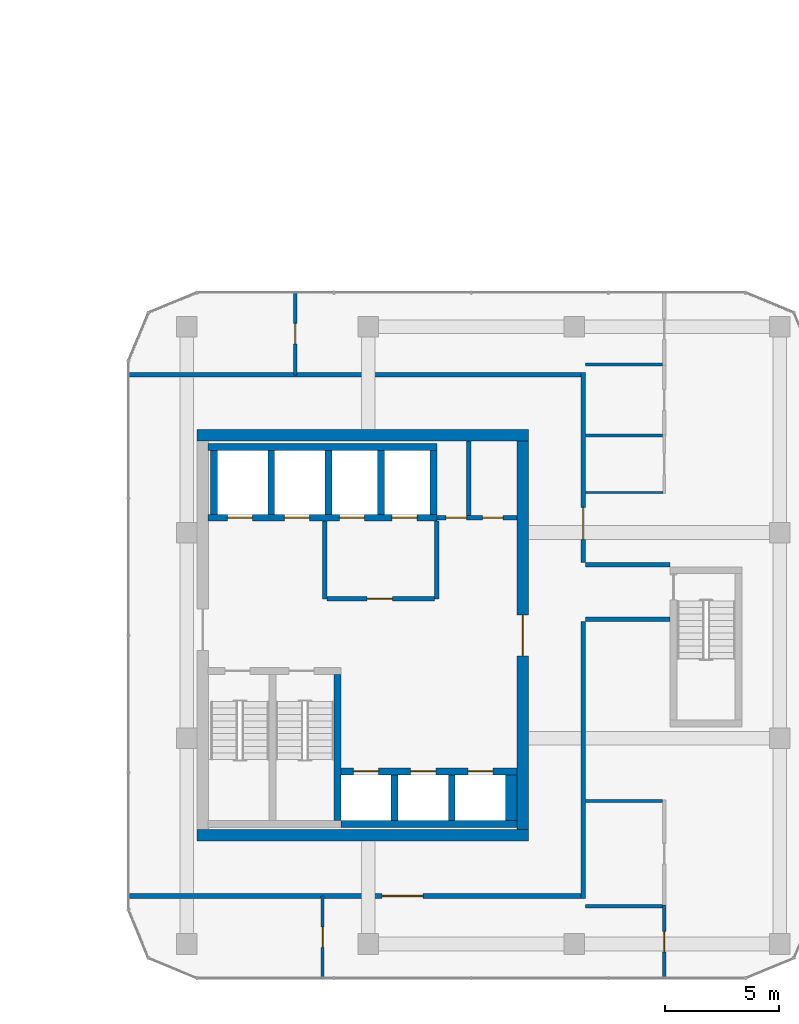
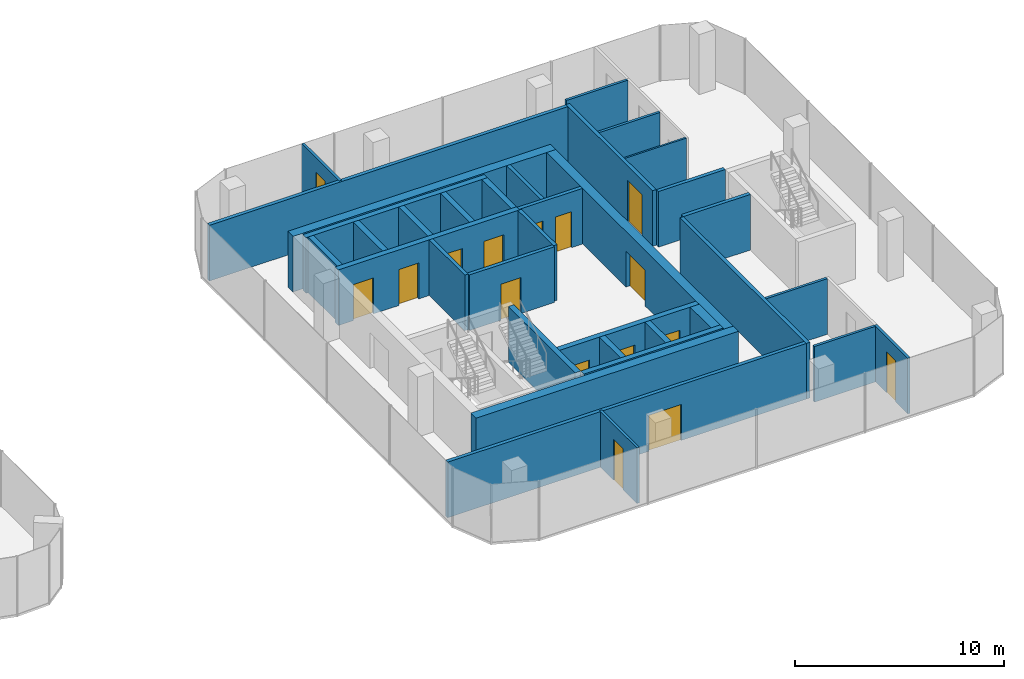
# One storey, part 19 of 24: 35 walls, 16 doors, 16 openings.
"""IFC4 building model written with IfcOpenShell, lengths in metres."""

from ifc_helpers import new_model, si_unit, direction, frame, frame_2d, origin, place, context, subcontext, project, spatial, rectangle, extrude, material, layer, layer_set, type_object, element, fill, save


model = new_model("IFC4")

# Units and contexts
model_context = context("Model", 3, precision=1e-05, world=origin(), true_north=direction((0.0, 1.0)))
body_context = subcontext(model_context, "Body", "Model", "MODEL_VIEW")
ifc_project = project(units=[si_unit("LENGTHUNIT", "METRE"), si_unit("AREAUNIT", "SQUARE_METRE"), si_unit("VOLUMEUNIT", "CUBIC_METRE"), si_unit("PLANEANGLEUNIT", "RADIAN"), si_unit("MASSUNIT", "GRAM", prefix="KILO")], contexts=[model_context])

# Site, building, storey
site_placement = place(None, origin())
site = spatial("IfcSite", under=ifc_project, at=site_placement, CompositionType="ELEMENT")
building_placement = place(site_placement, origin())
building = spatial("IfcBuilding", under=site, at=building_placement, Name="Plateau Cross Towers", CompositionType="ELEMENT")
storey_placement = place(building_placement, frame((0.0, 0.0, 44.300048828125)))
storey = spatial("IfcBuildingStorey", under=building, at=storey_placement, Name="L10", CompositionType="ELEMENT", Elevation=44.300048828125)

# Wall
ifc_material_1 = material(Name="Concrete block, plastered both sides", Category="concrete")
ifc_layer_1 = layer(ifc_material_1, 0.199951171875)
ifc_layer_set_1 = layer_set([ifc_layer_1], Name="Concrete block, plastered both sides")
wall_type_1 = type_object("IfcWallType", Name="Core partition 200", PredefinedType="PARTITIONING", material=ifc_layer_set_1)
wall_1_placement = place(storey_placement, frame((80.60009765625, 10.60009765625, 0.0), z_axis=(0.0, 0.0, 1.0), x_axis=(0.0, 1.0, 0.0)))
element("IfcWall", 1, at=wall_1_placement, inside=storey, type_object=wall_type_1, Name="Core partition", PredefinedType="PARTITIONING", context=body_context, shape_type="SweptSolid", body=[
    extrude(rectangle(XDim=3.39990234375, YDim=0.199951171875, at=frame_2d((1.699951171875, 0.0))), origin(), (0.0, 0.0, 1.0), 3.25),
])

# Wall, opening, door
wall_2_placement = place(storey_placement, frame((80.699951171875, 10.60009765625, 0.0), z_axis=(0.0, 0.0, 1.0), x_axis=(1.0, 0.0, 0.0)))
wall_2 = element("IfcWall", 2, at=wall_2_placement, inside=storey, type_object=wall_type_1, Name="Core partition", PredefinedType="PARTITIONING", context=body_context, shape_type="SweptSolid", body=[
    extrude(rectangle(XDim=4.699951171875, YDim=0.199951171875, at=frame_2d((2.35009765625, 0.0))), origin(), (0.0, 0.0, 1.0), 3.25),
])
opening_1_placement = place(wall_2_placement, frame((1.75, 0.0, 0.0)))
opening_1 = element("IfcOpeningElement", 3, at=opening_1_placement, cuts=wall_2, Name="Opening FFD", PredefinedType="OPENING", context=body_context, shape_type="SweptSolid", body=[
    extrude(rectangle(XDim=1.10009765625, YDim=2.10009765625, at=frame_2d((0.550048828125, 1.050048828125))), frame((0.0, 0.10986328125, 0.0), z_axis=(0.0, -1.0, 0.0), x_axis=(1.0, 0.0, 0.0)), (0.0, 0.0, 1.0), 0.219970703125),
])
ifc_material_2 = material(Name="Steel, fire-resisting leaf", Category="steel")
door_type_1 = type_object("IfcDoorType", Name="Firefighting lobby door 1100", OperationType="NOTDEFINED", PredefinedType="DOOR", material=ifc_material_2)
door_1_placement = place(opening_1_placement, origin())
door_1 = element("IfcDoor", 4, at=door_1_placement, inside=storey, type_object=door_type_1, Name="Firefighting lobby door FFD", OperationType="SINGLE_SWING_LEFT", OverallHeight=2.10009765625, OverallWidth=1.10009765625, PredefinedType="DOOR", context=body_context, shape_type="SweptSolid", body=[
    extrude(rectangle(XDim=1.10009765625, YDim=2.10009765625, at=frame_2d((0.550048828125, 1.050048828125))), frame((0.0, 0.02490234375, 0.0), z_axis=(0.0, -1.0, 0.0), x_axis=(1.0, 0.0, 0.0)), (0.0, 0.0, 1.0), 0.050048828125),
])
fill(opening_1, door_1)

# Wall
wall_3_placement = place(storey_placement, frame((85.5, 10.60009765625, 0.0), z_axis=(0.0, 0.0, 1.0), x_axis=(0.0, 1.0, 0.0)))
element("IfcWall", 5, at=wall_3_placement, inside=storey, type_object=wall_type_1, Name="Core partition", PredefinedType="PARTITIONING", context=body_context, shape_type="SweptSolid", body=[
    extrude(rectangle(XDim=3.39990234375, YDim=0.199951171875, at=frame_2d((1.699951171875, 0.0))), origin(), (0.0, 0.0, 1.0), 3.25),
])

# Wall, openings, doors
wall_4_placement = place(storey_placement, frame((85.5, 14.14990234375, 0.0), z_axis=(0.0, 0.0, 1.0), x_axis=(1.0, 0.0, 0.0)))
wall_4 = element("IfcWall", 6, at=wall_4_placement, inside=storey, type_object=wall_type_1, Name="Core partition", PredefinedType="PARTITIONING", context=body_context, shape_type="SweptSolid", body=[
    extrude(rectangle(XDim=3.5, YDim=0.199951171875, at=frame_2d((1.75, 0.0))), origin(), (0.0, 0.0, 1.0), 3.25),
])
opening_2_placement = place(wall_4_placement, frame((0.39990234375, 0.0, 0.0)))
opening_2 = element("IfcOpeningElement", 7, at=opening_2_placement, cuts=wall_4, Name="Opening RD2", PredefinedType="OPENING", context=body_context, shape_type="SweptSolid", body=[
    extrude(rectangle(XDim=0.89990234375, YDim=2.10009765625, at=frame_2d((0.449951171875, 1.050048828125))), frame((0.0, 0.10986328125, 0.0), z_axis=(0.0, -1.0, 0.0), x_axis=(1.0, 0.0, 0.0)), (0.0, 0.0, 1.0), 0.219970703125),
])
opening_3_placement = place(wall_4_placement, frame((2.0, 0.0, 0.0)))
opening_3 = element("IfcOpeningElement", 8, at=opening_3_placement, cuts=wall_4, Name="Opening RD2", PredefinedType="OPENING", context=body_context, shape_type="SweptSolid", body=[
    extrude(rectangle(XDim=0.89990234375, YDim=2.10009765625, at=frame_2d((0.449951171875, 1.050048828125))), frame((0.0, 0.10986328125, 0.0), z_axis=(0.0, -1.0, 0.0), x_axis=(1.0, 0.0, 0.0)), (0.0, 0.0, 1.0), 0.219970703125),
])
door_type_2 = type_object("IfcDoorType", Name="Core riser door 900", OperationType="NOTDEFINED", PredefinedType="DOOR", material=ifc_material_2)
door_2_placement = place(opening_2_placement, origin())
door_2 = element("IfcDoor", 9, at=door_2_placement, inside=storey, type_object=door_type_2, Name="Core riser door RD2", OperationType="SINGLE_SWING_LEFT", OverallHeight=2.10009765625, OverallWidth=0.89990234375, PredefinedType="DOOR", context=body_context, shape_type="SweptSolid", body=[
    extrude(rectangle(XDim=0.89990234375, YDim=2.10009765625, at=frame_2d((0.449951171875, 1.050048828125))), frame((0.0, 0.02490234375, 0.0), z_axis=(0.0, -1.0, 0.0), x_axis=(1.0, 0.0, 0.0)), (0.0, 0.0, 1.0), 0.050048828125),
])
fill(opening_2, door_2)
door_3_placement = place(opening_3_placement, origin())
door_3 = element("IfcDoor", 10, at=door_3_placement, inside=storey, type_object=door_type_2, Name="Core riser door RD2", OperationType="SINGLE_SWING_LEFT", OverallHeight=2.10009765625, OverallWidth=0.89990234375, PredefinedType="DOOR", context=body_context, shape_type="SweptSolid", body=[
    extrude(rectangle(XDim=0.89990234375, YDim=2.10009765625, at=frame_2d((0.449951171875, 1.050048828125))), frame((0.0, 0.02490234375, 0.0), z_axis=(0.0, -1.0, 0.0), x_axis=(1.0, 0.0, 0.0)), (0.0, 0.0, 1.0), 0.050048828125),
])
fill(opening_3, door_3)

# Walls
wall_5_placement = place(storey_placement, frame((86.89990234375, 14.25, 0.0), z_axis=(0.0, 0.0, 1.0), x_axis=(0.0, 1.0, 0.0)))
element("IfcWall", 11, at=wall_5_placement, inside=storey, type_object=wall_type_1, Name="Core partition", PredefinedType="PARTITIONING", context=body_context, shape_type="SweptSolid", body=[
    extrude(rectangle(XDim=3.25, YDim=0.199951171875, at=frame_2d((1.625, 0.0))), origin(), (0.0, 0.0, 1.0), 3.25),
])
ifc_material_3 = material(Name="Concrete C60/75", Category="concrete")
ifc_layer_2 = layer(ifc_material_3, 0.300048828125)
ifc_layer_set_2 = layer_set([ifc_layer_2], Name="Concrete C60/75")
wall_type_2 = type_object("IfcWallType", Name="Core shaft wall 300", PredefinedType="SHEAR", material=ifc_layer_set_2)
wall_6_placement = place(storey_placement, frame((81.14990234375, 0.89990234375, 0.0), z_axis=(0.0, 0.0, 1.0), x_axis=(0.0, 1.0, 0.0)))
element("IfcWall", 12, at=wall_6_placement, inside=storey, type_object=wall_type_2, Name="B-sb-st2@L10", PredefinedType="SHEAR", context=body_context, shape_type="SweptSolid", body=[
    extrude(rectangle(XDim=6.400146484375, YDim=0.300048828125, at=frame_2d((3.2001953125, 0.0))), origin(), (0.0, 0.0, 1.0), 3.25),
])
wall_7_placement = place(storey_placement, frame((81.300048828125, 0.75, 0.0), z_axis=(0.0, 0.0, 1.0), x_axis=(1.0, 0.0, 0.0)))
element("IfcWall", 13, at=wall_7_placement, inside=storey, type_object=wall_type_2, Name="B-sb-back@L10", PredefinedType="SHEAR", context=body_context, shape_type="SweptSolid", body=[
    extrude(rectangle(XDim=7.699951171875, YDim=0.300048828125, at=frame_2d((3.85009765625, 0.0))), origin(), (0.0, 0.0, 1.0), 3.25),
])
for number, where, z_axis, x_axis, name in (
    (14, (83.64990234375, 0.89990234375, 0.0), (0.0, 0.0, 1.0), (0.0, 1.0, 0.0), "B-sb-v1@L10"),
    (15, (86.14990234375, 0.89990234375, 0.0), (0.0, 0.0, 1.0), (0.0, 1.0, 0.0), "B-sb-v2@L10"),
):
    element("IfcWall", number, at=place(storey_placement, frame(where, z_axis=z_axis, x_axis=x_axis)), inside=storey, type_object=wall_type_2, Name=name, PredefinedType="SHEAR", context=body_context, shape_type="SweptSolid", body=[
        extrude(rectangle(XDim=2.0, YDim=0.300048828125, at=frame_2d((1.0, 0.0))), origin(), (0.0, 0.0, 1.0), 3.25),
    ])

# Wall, openings, doors
wall_8_placement = place(storey_placement, frame((81.300048828125, 3.050048828125, 0.0), z_axis=(0.0, 0.0, 1.0), x_axis=(1.0, 0.0, 0.0)))
wall_8 = element("IfcWall", 16, at=wall_8_placement, inside=storey, type_object=wall_type_2, Name="B-sb-front@L10", PredefinedType="SHEAR", context=body_context, shape_type="SweptSolid", body=[
    extrude(rectangle(XDim=7.699951171875, YDim=0.300048828125, at=frame_2d((3.85009765625, 0.0))), origin(), (0.0, 0.0, 1.0), 3.25),
])
opening_4_placement = place(wall_8_placement, frame((0.550048828125, 0.0, 0.0)))
opening_4 = element("IfcOpeningElement", 17, at=opening_4_placement, cuts=wall_8, Name="Opening LD", PredefinedType="OPENING", context=body_context, shape_type="SweptSolid", body=[
    extrude(rectangle(XDim=1.10009765625, YDim=2.10009765625, at=frame_2d((0.550048828125, 1.050048828125))), frame((0.0, 0.159912109375, 0.0), z_axis=(0.0, -1.0, 0.0), x_axis=(1.0, 0.0, 0.0)), (0.0, 0.0, 1.0), 0.320068359375),
])
opening_5_placement = place(wall_8_placement, frame((3.050048828125, 0.0, 0.0)))
opening_5 = element("IfcOpeningElement", 18, at=opening_5_placement, cuts=wall_8, Name="Opening LD", PredefinedType="OPENING", context=body_context, shape_type="SweptSolid", body=[
    extrude(rectangle(XDim=1.10009765625, YDim=2.10009765625, at=frame_2d((0.550048828125, 1.050048828125))), frame((0.0, 0.159912109375, 0.0), z_axis=(0.0, -1.0, 0.0), x_axis=(1.0, 0.0, 0.0)), (0.0, 0.0, 1.0), 0.320068359375),
])
opening_6_placement = place(wall_8_placement, frame((5.550048828125, 0.0, 0.0)))
opening_6 = element("IfcOpeningElement", 19, at=opening_6_placement, cuts=wall_8, Name="Opening LD", PredefinedType="OPENING", context=body_context, shape_type="SweptSolid", body=[
    extrude(rectangle(XDim=1.10009765625, YDim=2.10009765625, at=frame_2d((0.550048828125, 1.050048828125))), frame((0.0, 0.159912109375, 0.0), z_axis=(0.0, -1.0, 0.0), x_axis=(1.0, 0.0, 0.0)), (0.0, 0.0, 1.0), 0.320068359375),
])
ifc_material_4 = material(Name="Stainless steel, fire-resisting sliding leaves", Category="steel")
door_type_3 = type_object("IfcDoorType", Name="Lift landing door 1100", OperationType="NOTDEFINED", PredefinedType="DOOR", material=ifc_material_4)
door_4_placement = place(opening_4_placement, origin())
door_4 = element("IfcDoor", 20, at=door_4_placement, inside=storey, type_object=door_type_3, Name="Lift landing door LD", OperationType="DOUBLE_DOOR_SLIDING", OverallHeight=2.10009765625, OverallWidth=1.10009765625, PredefinedType="DOOR", context=body_context, shape_type="SweptSolid", body=[
    extrude(rectangle(XDim=1.10009765625, YDim=2.10009765625, at=frame_2d((0.550048828125, 1.050048828125))), frame((0.0, 0.02490234375, 0.0), z_axis=(0.0, -1.0, 0.0), x_axis=(1.0, 0.0, 0.0)), (0.0, 0.0, 1.0), 0.050048828125),
])
fill(opening_4, door_4)
door_5_placement = place(opening_5_placement, origin())
door_5 = element("IfcDoor", 21, at=door_5_placement, inside=storey, type_object=door_type_3, Name="Lift landing door LD", OperationType="DOUBLE_DOOR_SLIDING", OverallHeight=2.10009765625, OverallWidth=1.10009765625, PredefinedType="DOOR", context=body_context, shape_type="SweptSolid", body=[
    extrude(rectangle(XDim=1.10009765625, YDim=2.10009765625, at=frame_2d((0.550048828125, 1.050048828125))), frame((0.0, 0.02490234375, 0.0), z_axis=(0.0, -1.0, 0.0), x_axis=(1.0, 0.0, 0.0)), (0.0, 0.0, 1.0), 0.050048828125),
])
fill(opening_5, door_5)
door_6_placement = place(opening_6_placement, origin())
door_6 = element("IfcDoor", 22, at=door_6_placement, inside=storey, type_object=door_type_3, Name="Lift landing door LD", OperationType="DOUBLE_DOOR_SLIDING", OverallHeight=2.10009765625, OverallWidth=1.10009765625, PredefinedType="DOOR", context=body_context, shape_type="SweptSolid", body=[
    extrude(rectangle(XDim=1.10009765625, YDim=2.10009765625, at=frame_2d((0.550048828125, 1.050048828125))), frame((0.0, 0.02490234375, 0.0), z_axis=(0.0, -1.0, 0.0), x_axis=(1.0, 0.0, 0.0)), (0.0, 0.0, 1.0), 0.050048828125),
])
fill(opening_6, door_6)

# Wall
wall_9_placement = place(storey_placement, frame((75.47998046875, 17.25, 0.0), z_axis=(0.0, 0.0, 1.0), x_axis=(1.0, 0.0, 0.0)))
element("IfcWall", 23, at=wall_9_placement, inside=storey, type_object=wall_type_2, Name="B-nb-back@L10", PredefinedType="SHEAR", context=body_context, shape_type="SweptSolid", body=[
    extrude(rectangle(XDim=10.02001953125, YDim=0.300048828125, at=frame_2d((5.010009765625, 0.0))), origin(), (0.0, 0.0, 1.0), 3.25),
])

# Wall, openings, doors
wall_10_placement = place(storey_placement, frame((75.47998046875, 14.14990234375, 0.0), z_axis=(0.0, 0.0, 1.0), x_axis=(1.0, 0.0, 0.0)))
wall_10 = element("IfcWall", 24, at=wall_10_placement, inside=storey, type_object=wall_type_2, Name="B-nb-front@L10", PredefinedType="SHEAR", context=body_context, shape_type="SweptSolid", body=[
    extrude(rectangle(XDim=10.02001953125, YDim=0.300048828125, at=frame_2d((5.010009765625, 0.0))), origin(), (0.0, 0.0, 1.0), 3.25),
])
opening_7_placement = place(wall_10_placement, frame((0.85009765625, 0.0, 0.0)))
opening_7 = element("IfcOpeningElement", 25, at=opening_7_placement, cuts=wall_10, Name="Opening LD", PredefinedType="OPENING", context=body_context, shape_type="SweptSolid", body=[
    extrude(rectangle(XDim=1.10009765625, YDim=2.10009765625, at=frame_2d((0.550048828125, 1.050048828125))), frame((0.0, 0.159912109375, 0.0), z_axis=(0.0, -1.0, 0.0), x_axis=(1.0, 0.0, 0.0)), (0.0, 0.0, 1.0), 0.320068359375),
])
opening_8_placement = place(wall_10_placement, frame((3.35009765625, 0.0, 0.0)))
opening_8 = element("IfcOpeningElement", 26, at=opening_8_placement, cuts=wall_10, Name="Opening LD", PredefinedType="OPENING", context=body_context, shape_type="SweptSolid", body=[
    extrude(rectangle(XDim=1.10009765625, YDim=2.10009765625, at=frame_2d((0.550048828125, 1.050048828125))), frame((0.0, 0.159912109375, 0.0), z_axis=(0.0, -1.0, 0.0), x_axis=(1.0, 0.0, 0.0)), (0.0, 0.0, 1.0), 0.320068359375),
])
opening_9_placement = place(wall_10_placement, frame((5.75, 0.0, 0.0)))
opening_9 = element("IfcOpeningElement", 27, at=opening_9_placement, cuts=wall_10, Name="Opening LD", PredefinedType="OPENING", context=body_context, shape_type="SweptSolid", body=[
    extrude(rectangle(XDim=1.10009765625, YDim=2.10009765625, at=frame_2d((0.550048828125, 1.050048828125))), frame((0.0, 0.159912109375, 0.0), z_axis=(0.0, -1.0, 0.0), x_axis=(1.0, 0.0, 0.0)), (0.0, 0.0, 1.0), 0.320068359375),
])
opening_10_placement = place(wall_10_placement, frame((8.050048828125, 0.0, 0.0)))
opening_10 = element("IfcOpeningElement", 28, at=opening_10_placement, cuts=wall_10, Name="Opening LD", PredefinedType="OPENING", context=body_context, shape_type="SweptSolid", body=[
    extrude(rectangle(XDim=1.10009765625, YDim=2.10009765625, at=frame_2d((0.550048828125, 1.050048828125))), frame((0.0, 0.159912109375, 0.0), z_axis=(0.0, -1.0, 0.0), x_axis=(1.0, 0.0, 0.0)), (0.0, 0.0, 1.0), 0.320068359375),
])
door_7_placement = place(opening_7_placement, origin())
door_7 = element("IfcDoor", 29, at=door_7_placement, inside=storey, type_object=door_type_3, Name="Lift landing door LD", OperationType="DOUBLE_DOOR_SLIDING", OverallHeight=2.10009765625, OverallWidth=1.10009765625, PredefinedType="DOOR", context=body_context, shape_type="SweptSolid", body=[
    extrude(rectangle(XDim=1.10009765625, YDim=2.10009765625, at=frame_2d((0.550048828125, 1.050048828125))), frame((0.0, 0.02490234375, 0.0), z_axis=(0.0, -1.0, 0.0), x_axis=(1.0, 0.0, 0.0)), (0.0, 0.0, 1.0), 0.050048828125),
])
fill(opening_7, door_7)
door_8_placement = place(opening_8_placement, origin())
door_8 = element("IfcDoor", 30, at=door_8_placement, inside=storey, type_object=door_type_3, Name="Lift landing door LD", OperationType="DOUBLE_DOOR_SLIDING", OverallHeight=2.10009765625, OverallWidth=1.10009765625, PredefinedType="DOOR", context=body_context, shape_type="SweptSolid", body=[
    extrude(rectangle(XDim=1.10009765625, YDim=2.10009765625, at=frame_2d((0.550048828125, 1.050048828125))), frame((0.0, 0.02490234375, 0.0), z_axis=(0.0, -1.0, 0.0), x_axis=(1.0, 0.0, 0.0)), (0.0, 0.0, 1.0), 0.050048828125),
])
fill(opening_8, door_8)
door_9_placement = place(opening_9_placement, origin())
door_9 = element("IfcDoor", 31, at=door_9_placement, inside=storey, type_object=door_type_3, Name="Lift landing door LD", OperationType="DOUBLE_DOOR_SLIDING", OverallHeight=2.10009765625, OverallWidth=1.10009765625, PredefinedType="DOOR", context=body_context, shape_type="SweptSolid", body=[
    extrude(rectangle(XDim=1.10009765625, YDim=2.10009765625, at=frame_2d((0.550048828125, 1.050048828125))), frame((0.0, 0.02490234375, 0.0), z_axis=(0.0, -1.0, 0.0), x_axis=(1.0, 0.0, 0.0)), (0.0, 0.0, 1.0), 0.050048828125),
])
fill(opening_9, door_9)
door_10_placement = place(opening_10_placement, origin())
door_10 = element("IfcDoor", 32, at=door_10_placement, inside=storey, type_object=door_type_3, Name="Lift landing door LD", OperationType="DOUBLE_DOOR_SLIDING", OverallHeight=2.10009765625, OverallWidth=1.10009765625, PredefinedType="DOOR", context=body_context, shape_type="SweptSolid", body=[
    extrude(rectangle(XDim=1.10009765625, YDim=2.10009765625, at=frame_2d((0.550048828125, 1.050048828125))), frame((0.0, 0.02490234375, 0.0), z_axis=(0.0, -1.0, 0.0), x_axis=(1.0, 0.0, 0.0)), (0.0, 0.0, 1.0), 0.050048828125),
])
fill(opening_10, door_10)

# Walls
for number, where, z_axis, x_axis, name in (
    (33, (75.75, 14.300048828125, 0.0), (0.0, 0.0, 1.0), (0.0, 1.0, 0.0), "B-nb-v0@L10"),
    (34, (78.25, 14.300048828125, 0.0), (0.0, 0.0, 1.0), (0.0, 1.0, 0.0), "B-nb-v1@L10"),
    (35, (80.75, 14.300048828125, 0.0), (0.0, 0.0, 1.0), (0.0, 1.0, 0.0), "B-nb-v2@L10"),
    (36, (83.050048828125, 14.300048828125, 0.0), (0.0, 0.0, 1.0), (0.0, 1.0, 0.0), "B-nb-v3@L10"),
    (37, (85.35009765625, 14.300048828125, 0.0), (0.0, 0.0, 1.0), (0.0, 1.0, 0.0), "B-nb-v4@L10"),
):
    element("IfcWall", number, at=place(storey_placement, frame(where, z_axis=z_axis, x_axis=x_axis)), inside=storey, type_object=wall_type_2, Name=name, PredefinedType="SHEAR", context=body_context, shape_type="SweptSolid", body=[
        extrude(rectangle(XDim=2.800048828125, YDim=0.300048828125, at=frame_2d((1.39990234375, 0.0))), origin(), (0.0, 0.0, 1.0), 3.25),
    ])
ifc_layer_3 = layer(ifc_material_3, 0.5)
ifc_layer_set_3 = layer_set([ifc_layer_3], Name="Concrete C60/75")
wall_type_3 = type_object("IfcWallType", Name="Core shaft wall 500", PredefinedType="SHEAR", material=ifc_layer_set_3)
wall_11_placement = place(storey_placement, frame((88.75, 0.89990234375, 0.0), z_axis=(0.0, 0.0, 1.0), x_axis=(0.0, 1.0, 0.0)))
element("IfcWall", 38, at=wall_11_placement, inside=storey, type_object=wall_type_3, Name="B-sb-v3@L10", PredefinedType="SHEAR", context=body_context, shape_type="SweptSolid", body=[
    extrude(rectangle(XDim=2.0, YDim=0.5, at=frame_2d((1.0, 0.0))), origin(), (0.0, 0.0, 1.0), 3.25),
])
ifc_layer_4 = layer(ifc_material_3, 0.5)
ifc_layer_set_4 = layer_set([ifc_layer_4], Name="Concrete C60/75")
wall_type_4 = type_object("IfcWallType", Name="Core shell wall 500", PredefinedType="SHEAR", material=ifc_layer_set_4)
for number, where, z_axis, x_axis, name in (
    (39, (75.0, 0.25, 0.0), (0.0, 0.0, 1.0), (1.0, 0.0, 0.0), "B-core-S@L10"),
    (40, (75.0, 17.75, 0.0), (0.0, 0.0, 1.0), (1.0, 0.0, 0.0), "B-core-N@L10"),
):
    element("IfcWall", number, at=place(storey_placement, frame(where, z_axis=z_axis, x_axis=x_axis)), inside=storey, type_object=wall_type_4, Name=name, PredefinedType="SHEAR", context=body_context, shape_type="SweptSolid", body=[
        extrude(rectangle(XDim=14.5, YDim=0.5, at=frame_2d((7.25, 0.0))), origin(), (0.0, 0.0, 1.0), 3.25),
    ])

# Wall, opening, door
wall_12_placement = place(storey_placement, frame((89.25, 0.5, 0.0), z_axis=(0.0, 0.0, 1.0), x_axis=(0.0, 1.0, 0.0)))
wall_12 = element("IfcWall", 41, at=wall_12_placement, inside=storey, type_object=wall_type_4, Name="B-core-E@L10", PredefinedType="SHEAR", context=body_context, shape_type="SweptSolid", body=[
    extrude(rectangle(XDim=17.0, YDim=0.5, at=frame_2d((8.5, 0.0))), origin(), (0.0, 0.0, 1.0), 3.25),
])
opening_11_placement = place(wall_12_placement, frame((7.60009765625, 0.0, 0.0)))
opening_11 = element("IfcOpeningElement", 42, at=opening_11_placement, cuts=wall_12, Name="Opening CD", PredefinedType="OPENING", context=body_context, shape_type="SweptSolid", body=[
    extrude(rectangle(XDim=1.800048828125, YDim=2.10009765625, at=frame_2d((0.89990234375, 1.050048828125))), frame((0.0, 0.260009765625, 0.0), z_axis=(0.0, -1.0, 0.0), x_axis=(1.0, 0.0, 0.0)), (0.0, 0.0, 1.0), 0.52001953125),
])
ifc_material_5 = material(Name="Steel, fire-resisting leaves", Category="steel")
door_type_4 = type_object("IfcDoorType", Name="Corridor door pair 1800", OperationType="NOTDEFINED", PredefinedType="DOOR", material=ifc_material_5)
door_11_placement = place(opening_11_placement, origin())
door_11 = element("IfcDoor", 43, at=door_11_placement, inside=storey, type_object=door_type_4, Name="Corridor door pair CD", OperationType="DOUBLE_DOOR_SINGLE_SWING", OverallHeight=2.10009765625, OverallWidth=1.800048828125, PredefinedType="DOOR", context=body_context, shape_type="SweptSolid", body=[
    extrude(rectangle(XDim=1.800048828125, YDim=2.10009765625, at=frame_2d((0.89990234375, 1.050048828125))), frame((0.0, 0.02490234375, 0.0), z_axis=(0.0, -1.0, 0.0), x_axis=(1.0, 0.0, 0.0)), (0.0, 0.0, 1.0), 0.050048828125),
])
fill(opening_11, door_11)

ifc_material_6 = material(Name="Gypsum board on steel studs, two layers each side", Category="steel")
ifc_layer_5 = layer(ifc_material_6, 0.199951171875)
ifc_layer_set_5 = layer_set([ifc_layer_5], Name="Gypsum board on steel studs, two layers each side")
wall_type_5 = type_object("IfcWallType", Name="Corridor wall 200", PredefinedType="PARTITIONING", material=ifc_layer_set_5)
wall_13_placement = place(storey_placement, frame((72.0, -2.39990234375, 0.0), z_axis=(0.0, 0.0, 1.0), x_axis=(1.0, 0.0, 0.0)))
wall_13 = element("IfcWall", 44, at=wall_13_placement, inside=storey, type_object=wall_type_5, Name="Ring wall", PredefinedType="PARTITIONING", context=body_context, shape_type="SweptSolid", body=[
    extrude(rectangle(XDim=20.0, YDim=0.199951171875, at=frame_2d((10.0, 0.0))), origin(), (0.0, 0.0, 1.0), 3.25),
])
opening_12_placement = place(wall_13_placement, frame((11.10009765625, 0.0, 0.0)))
opening_12 = element("IfcOpeningElement", 45, at=opening_12_placement, cuts=wall_13, Name="Opening D-BE18", PredefinedType="OPENING", context=body_context, shape_type="SweptSolid", body=[
    extrude(rectangle(XDim=1.800048828125, YDim=2.10009765625, at=frame_2d((0.89990234375, 1.050048828125))), frame((0.0, 0.10986328125, 0.0), z_axis=(0.0, -1.0, 0.0), x_axis=(1.0, 0.0, 0.0)), (0.0, 0.0, 1.0), 0.219970703125),
])
ifc_material_7 = material(Name="Timber, fire-resisting leaves", Category="wood")
door_type_5 = type_object("IfcDoorType", Name="Tenant entrance door pair 1800", OperationType="NOTDEFINED", PredefinedType="DOOR", material=ifc_material_7)
door_12_placement = place(opening_12_placement, origin())
door_12 = element("IfcDoor", 46, at=door_12_placement, inside=storey, type_object=door_type_5, Name="Door D-BE18", OperationType="DOUBLE_DOOR_SINGLE_SWING", OverallHeight=2.10009765625, OverallWidth=1.800048828125, PredefinedType="DOOR", context=body_context, shape_type="SweptSolid", body=[
    extrude(rectangle(XDim=1.800048828125, YDim=2.10009765625, at=frame_2d((0.89990234375, 1.050048828125))), frame((0.0, 0.02490234375, 0.0), z_axis=(0.0, -1.0, 0.0), x_axis=(1.0, 0.0, 0.0)), (0.0, 0.0, 1.0), 0.050048828125),
])
fill(opening_12, door_12)

# Walls
wall_14_placement = place(storey_placement, frame((72.0, 20.39990234375, 0.0), z_axis=(0.0, 0.0, 1.0), x_axis=(1.0, 0.0, 0.0)))
element("IfcWall", 47, at=wall_14_placement, inside=storey, type_object=wall_type_5, Name="Ring wall", PredefinedType="PARTITIONING", context=body_context, shape_type="SweptSolid", body=[
    extrude(rectangle(XDim=20.0, YDim=0.199951171875, at=frame_2d((10.0, 0.0))), origin(), (0.0, 0.0, 1.0), 3.25),
])
wall_15_placement = place(storey_placement, frame((91.89990234375, -2.5, 0.0), z_axis=(0.0, 0.0, 1.0), x_axis=(0.0, 1.0, 0.0)))
element("IfcWall", 48, at=wall_15_placement, inside=storey, type_object=wall_type_5, Name="Ring wall", PredefinedType="PARTITIONING", context=body_context, shape_type="SweptSolid", body=[
    extrude(rectangle(XDim=12.10009765625, YDim=0.199951171875, at=frame_2d((6.050048828125, 0.0))), origin(), (0.0, 0.0, 1.0), 3.25),
])

# Wall, opening, door
wall_16_placement = place(storey_placement, frame((91.89990234375, 12.199951171875, 0.0), z_axis=(0.0, 0.0, 1.0), x_axis=(0.0, 1.0, 0.0)))
wall_16 = element("IfcWall", 49, at=wall_16_placement, inside=storey, type_object=wall_type_5, Name="Ring wall", PredefinedType="PARTITIONING", context=body_context, shape_type="SweptSolid", body=[
    extrude(rectangle(XDim=8.300048828125, YDim=0.199951171875, at=frame_2d((4.14990234375, 0.0))), origin(), (0.0, 0.0, 1.0), 3.25),
])
opening_13_placement = place(wall_16_placement, frame((1.0, 0.0, 0.0)))
opening_13 = element("IfcOpeningElement", 50, at=opening_13_placement, cuts=wall_16, Name="Opening D-BE14", PredefinedType="OPENING", context=body_context, shape_type="SweptSolid", body=[
    extrude(rectangle(XDim=1.39990234375, YDim=2.39990234375, at=frame_2d((0.699951171875, 1.199951171875))), frame((0.0, 0.10986328125, 0.0), z_axis=(0.0, -1.0, 0.0), x_axis=(1.0, 0.0, 0.0)), (0.0, 0.0, 1.0), 0.219970703125),
])
door_type_6 = type_object("IfcDoorType", Name="Tenant entrance double-leaf 1400x2400", OperationType="NOTDEFINED", PredefinedType="DOOR", material=ifc_material_7)
door_13_placement = place(opening_13_placement, origin())
door_13 = element("IfcDoor", 51, at=door_13_placement, inside=storey, type_object=door_type_6, Name="Door D-BE14", OperationType="DOUBLE_DOOR_SINGLE_SWING", OverallHeight=2.39990234375, OverallWidth=1.39990234375, PredefinedType="DOOR", context=body_context, shape_type="SweptSolid", body=[
    extrude(rectangle(XDim=1.39990234375, YDim=2.39990234375, at=frame_2d((0.699951171875, 1.199951171875))), frame((0.0, 0.02490234375, 0.0), z_axis=(0.0, -1.0, 0.0), x_axis=(1.0, 0.0, 0.0)), (0.0, 0.0, 1.0), 0.050048828125),
])
fill(opening_13, door_13)

# Walls
for number, where, z_axis, x_axis, name in (
    (52, (92.0, 9.699951171875, 0.0), (0.0, 0.0, 1.0), (1.0, 0.0, 0.0), "Ring wall"),
    (53, (92.0, 12.10009765625, 0.0), (0.0, 0.0, 1.0), (1.0, 0.0, 0.0), "Ring wall"),
):
    element("IfcWall", number, at=place(storey_placement, frame(where, z_axis=z_axis, x_axis=x_axis)), inside=storey, type_object=wall_type_5, Name=name, PredefinedType="PARTITIONING", context=body_context, shape_type="SweptSolid", body=[
        extrude(rectangle(XDim=3.699951171875, YDim=0.199951171875, at=frame_2d((1.85009765625, 0.0))), origin(), (0.0, 0.0, 1.0), 3.25),
    ])

# Wall, opening, door
ifc_material_8 = material(Name="Gypsum board on staggered steel studs, mineral wool, two layers each side", Category="steel")
ifc_layer_6 = layer(ifc_material_8, 0.139892578125)
ifc_layer_set_6 = layer_set([ifc_layer_6], Name="Gypsum board on staggered steel studs, mineral wool, two layers each side")
wall_type_6 = type_object("IfcWallType", Name="Meeting room acoustic partition 140", PredefinedType="PARTITIONING", material=ifc_layer_set_6)
wall_17_placement = place(storey_placement, frame((80.5, -6.0, 0.0), z_axis=(0.0, 0.0, 1.0), x_axis=(0.0, 1.0, 0.0)))
wall_17 = element("IfcWall", 54, at=wall_17_placement, inside=storey, type_object=wall_type_6, Name="Acoustic wall", PredefinedType="PARTITIONING", context=body_context, shape_type="SweptSolid", body=[
    extrude(rectangle(XDim=3.60009765625, YDim=0.139892578125, at=frame_2d((1.800048828125, 0.0))), origin(), (0.0, 0.0, 1.0), 3.25),
])
opening_14_placement = place(wall_17_placement, frame((1.35009765625, 0.0, 0.0)))
opening_14 = element("IfcOpeningElement", 55, at=opening_14_placement, cuts=wall_17, Name="Opening D-BM9", PredefinedType="OPENING", context=body_context, shape_type="SweptSolid", body=[
    extrude(rectangle(XDim=0.89990234375, YDim=2.39990234375, at=frame_2d((0.449951171875, 1.199951171875))), frame((0.0, 0.079833984375, 0.0), z_axis=(0.0, -1.0, 0.0), x_axis=(1.0, 0.0, 0.0)), (0.0, 0.0, 1.0), 0.159912109375),
])
ifc_material_9 = material(Name="Timber leaf, full height", Category="wood")
door_type_7 = type_object("IfcDoorType", Name="Meeting room door 900x2400", OperationType="NOTDEFINED", PredefinedType="DOOR", material=ifc_material_9)
door_14_placement = place(opening_14_placement, origin())
door_14 = element("IfcDoor", 56, at=door_14_placement, inside=storey, type_object=door_type_7, Name="Door D-BM9", OperationType="SINGLE_SWING_LEFT", OverallHeight=2.39990234375, OverallWidth=0.89990234375, PredefinedType="DOOR", context=body_context, shape_type="SweptSolid", body=[
    extrude(rectangle(XDim=0.89990234375, YDim=2.39990234375, at=frame_2d((0.449951171875, 1.199951171875))), frame((0.0, 0.02490234375, 0.0), z_axis=(0.0, -1.0, 0.0), x_axis=(1.0, 0.0, 0.0)), (0.0, 0.0, 1.0), 0.050048828125),
])
fill(opening_14, door_14)

wall_18_placement = place(storey_placement, frame((95.449951171875, -6.0, 0.0), z_axis=(0.0, 0.0, 1.0), x_axis=(0.0, 1.0, 0.0)))
wall_18 = element("IfcWall", 57, at=wall_18_placement, inside=storey, type_object=wall_type_6, Name="Acoustic wall", PredefinedType="PARTITIONING", context=body_context, shape_type="SweptSolid", body=[
    extrude(rectangle(XDim=3.199951171875, YDim=0.139892578125, at=frame_2d((1.60009765625, 0.0))), origin(), (0.0, 0.0, 1.0), 3.25),
])
opening_15_placement = place(wall_18_placement, frame((1.14990234375, 0.0, 0.0)))
opening_15 = element("IfcOpeningElement", 58, at=opening_15_placement, cuts=wall_18, Name="Opening D-BM9", PredefinedType="OPENING", context=body_context, shape_type="SweptSolid", body=[
    extrude(rectangle(XDim=0.89990234375, YDim=2.39990234375, at=frame_2d((0.449951171875, 1.199951171875))), frame((0.0, 0.079833984375, 0.0), z_axis=(0.0, -1.0, 0.0), x_axis=(1.0, 0.0, 0.0)), (0.0, 0.0, 1.0), 0.159912109375),
])
door_15_placement = place(opening_15_placement, origin())
door_15 = element("IfcDoor", 59, at=door_15_placement, inside=storey, type_object=door_type_7, Name="Door D-BM9", OperationType="SINGLE_SWING_LEFT", OverallHeight=2.39990234375, OverallWidth=0.89990234375, PredefinedType="DOOR", context=body_context, shape_type="SweptSolid", body=[
    extrude(rectangle(XDim=0.89990234375, YDim=2.39990234375, at=frame_2d((0.449951171875, 1.199951171875))), frame((0.0, 0.02490234375, 0.0), z_axis=(0.0, -1.0, 0.0), x_axis=(1.0, 0.0, 0.0)), (0.0, 0.0, 1.0), 0.050048828125),
])
fill(opening_15, door_15)

# Walls
for number, where, z_axis, x_axis, name in (
    (60, (92.0, -2.85009765625, 0.0), (0.0, 0.0, 1.0), (1.0, 0.0, 0.0), "Acoustic wall"),
    (61, (92.0, 1.75, 0.0), (0.0, 0.0, 1.0), (1.0, 0.0, 0.0), "Acoustic wall"),
    (62, (92.0, 20.85009765625, 0.0), (0.0, 0.0, 1.0), (1.0, 0.0, 0.0), "Acoustic wall"),
    (63, (92.0, 17.75, 0.0), (0.0, 0.0, 1.0), (1.0, 0.0, 0.0), "Acoustic wall"),
):
    element("IfcWall", number, at=place(storey_placement, frame(where, z_axis=z_axis, x_axis=x_axis)), inside=storey, type_object=wall_type_6, Name=name, PredefinedType="PARTITIONING", context=body_context, shape_type="SweptSolid", body=[
        extrude(rectangle(XDim=3.3798828125, YDim=0.139892578125, at=frame_2d((1.68994140625, 0.0))), origin(), (0.0, 0.0, 1.0), 3.25),
    ])

# Wall, opening, door
wall_19_placement = place(storey_placement, frame((79.300048828125, 20.39990234375, 0.0), z_axis=(0.0, 0.0, 1.0), x_axis=(0.0, 1.0, 0.0)))
wall_19 = element("IfcWall", 64, at=wall_19_placement, inside=storey, type_object=wall_type_6, Name="Acoustic wall", PredefinedType="PARTITIONING", context=body_context, shape_type="SweptSolid", body=[
    extrude(rectangle(XDim=3.60009765625, YDim=0.139892578125, at=frame_2d((1.800048828125, 0.0))), origin(), (0.0, 0.0, 1.0), 3.25),
])
opening_16_placement = place(wall_19_placement, frame((1.35009765625, 0.0, 0.0)))
opening_16 = element("IfcOpeningElement", 65, at=opening_16_placement, cuts=wall_19, Name="Opening D-BM9", PredefinedType="OPENING", context=body_context, shape_type="SweptSolid", body=[
    extrude(rectangle(XDim=0.89990234375, YDim=2.39990234375, at=frame_2d((0.449951171875, 1.199951171875))), frame((0.0, 0.079833984375, 0.0), z_axis=(0.0, -1.0, 0.0), x_axis=(1.0, 0.0, 0.0)), (0.0, 0.0, 1.0), 0.159912109375),
])
door_16_placement = place(opening_16_placement, origin())
door_16 = element("IfcDoor", 66, at=door_16_placement, inside=storey, type_object=door_type_7, Name="Door D-BM9", OperationType="SINGLE_SWING_LEFT", OverallHeight=2.39990234375, OverallWidth=0.89990234375, PredefinedType="DOOR", context=body_context, shape_type="SweptSolid", body=[
    extrude(rectangle(XDim=0.89990234375, YDim=2.39990234375, at=frame_2d((0.449951171875, 1.199951171875))), frame((0.0, 0.02490234375, 0.0), z_axis=(0.0, -1.0, 0.0), x_axis=(1.0, 0.0, 0.0)), (0.0, 0.0, 1.0), 0.050048828125),
])
fill(opening_16, door_16)

# Wall
ifc_material_10 = material(Name="Gypsum board on steel studs", Category="steel")
ifc_layer_7 = layer(ifc_material_10, 0.10009765625)
ifc_layer_set_7 = layer_set([ifc_layer_7], Name="Gypsum board on steel studs")
wall_type_7 = type_object("IfcWallType", Name="Office partition 100", PredefinedType="PARTITIONING", material=ifc_layer_set_7)
wall_20_placement = place(storey_placement, frame((92.0, 15.25, 0.0), z_axis=(0.0, 0.0, 1.0), x_axis=(1.0, 0.0, 0.0)))
element("IfcWall", 67, at=wall_20_placement, inside=storey, type_object=wall_type_7, Name="Part wall", PredefinedType="PARTITIONING", context=body_context, shape_type="SweptSolid", body=[
    extrude(rectangle(XDim=3.39990234375, YDim=0.10009765625, at=frame_2d((1.699951171875, 0.0))), origin(), (0.0, 0.0, 1.0), 3.25),
])

save(model, "model.ifc")
